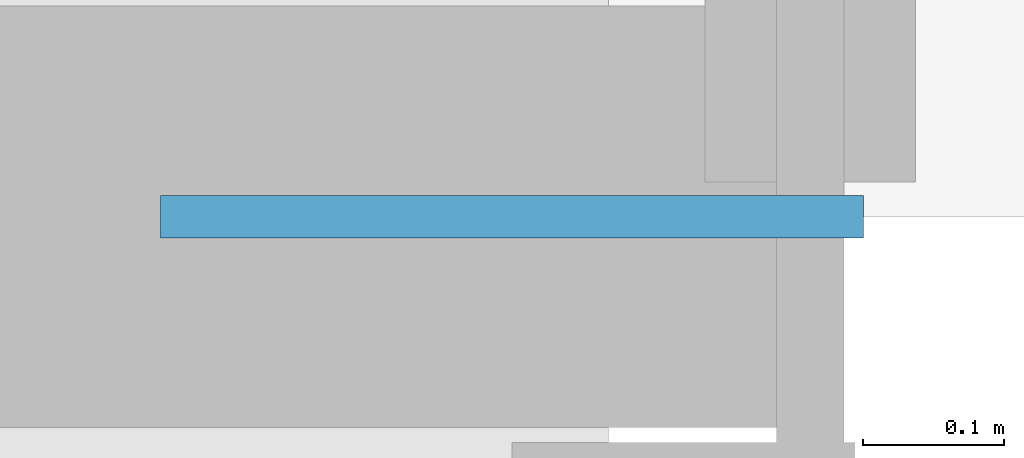
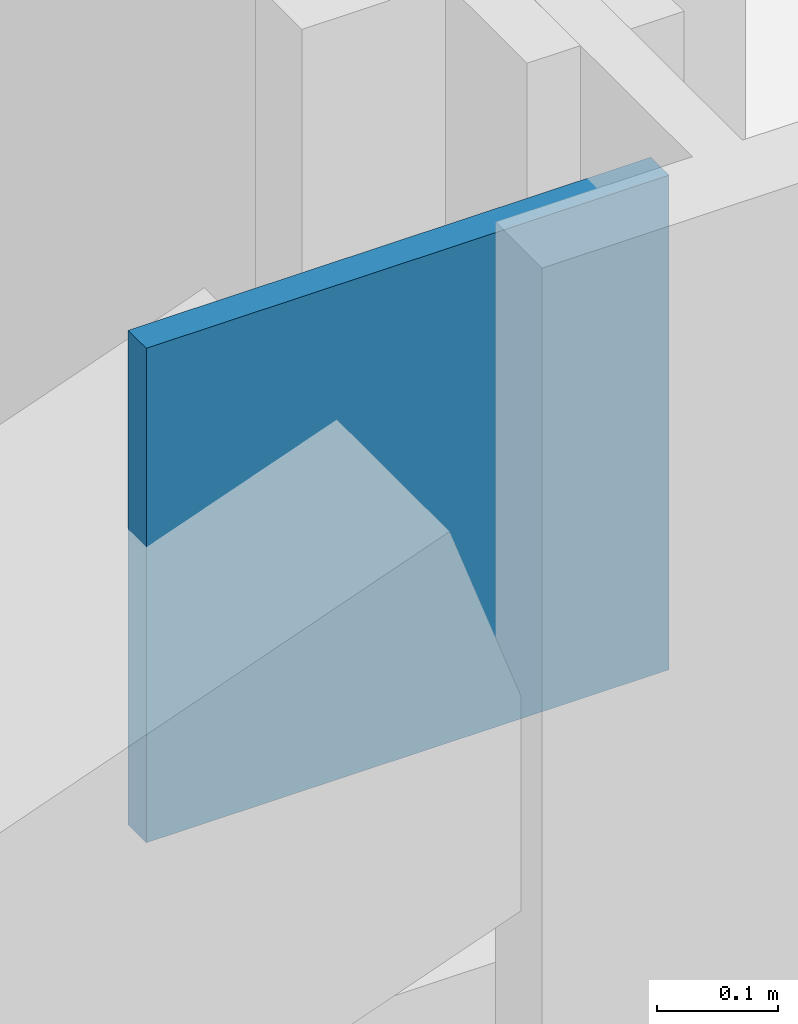
# One storey, part 20 of 29: 1 discrete accessory.
"""IFC4 building model written with IfcOpenShell, lengths in metres."""

from ifc_helpers import new_model, si_unit, direction, frame, origin, origin_2d, place, context, subcontext, project, spatial, rectangle, extrude, material, layer, layer_set, type_object, element, save


model = new_model("IFC4")

# Units and contexts
model_context = context("Model", 3, precision=1e-05, world=origin(), true_north=direction((0.0, 1.0)))
body_context = subcontext(model_context, "Body", "Model", "MODEL_VIEW")
ifc_project = project(units=[si_unit("LENGTHUNIT", "METRE"), si_unit("AREAUNIT", "SQUARE_METRE"), si_unit("VOLUMEUNIT", "CUBIC_METRE"), si_unit("PLANEANGLEUNIT", "RADIAN"), si_unit("MASSUNIT", "GRAM", prefix="KILO")], contexts=[model_context])

# Site, building, storey
site_placement = place(None, origin())
site = spatial("IfcSite", under=ifc_project, at=site_placement, CompositionType="ELEMENT")
building_placement = place(site_placement, origin())
building = spatial("IfcBuilding", under=site, at=building_placement, Name="Mahtab Terrace Research Tower", CompositionType="ELEMENT")
storey_placement = place(building_placement, frame((0.0, 0.0, 63.199951171875)))
storey = spatial("IfcBuildingStorey", under=building, at=storey_placement, Name="L14", CompositionType="ELEMENT", Elevation=63.199951171875)

# Discrete accessory
ifc_material = material(Name="Steel ASTM A992 Gr 50", Category="steel")
ifc_layer = layer(ifc_material, 0.030029296875)
ifc_layer_set = layer_set([ifc_layer], Name="Gusset plate 500x500x30")
discrete_accessory_type = type_object("IfcDiscreteAccessoryType", Name="Gusset plate 500x500x30", PredefinedType="USERDEFINED", material=ifc_layer_set)
discrete_accessory_placement = place(storey_placement, frame((17.787841796875, -23.0, 3.33154296875), z_axis=(0.0, 0.0, 1.0), x_axis=(1.0, 0.0, 0.0)))
element("IfcDiscreteAccessory", 1, at=discrete_accessory_placement, inside=storey, type_object=discrete_accessory_type, Name="Gusset plate", ObjectType="GUSSET PLATE", PredefinedType="USERDEFINED", context=body_context, shape_type="SweptSolid", body=[
    extrude(rectangle(XDim=0.5, YDim=0.030029296875, at=origin_2d()), origin(), (0.0, 0.0, 1.0), 0.5),
])

save(model, "model.ifc")
